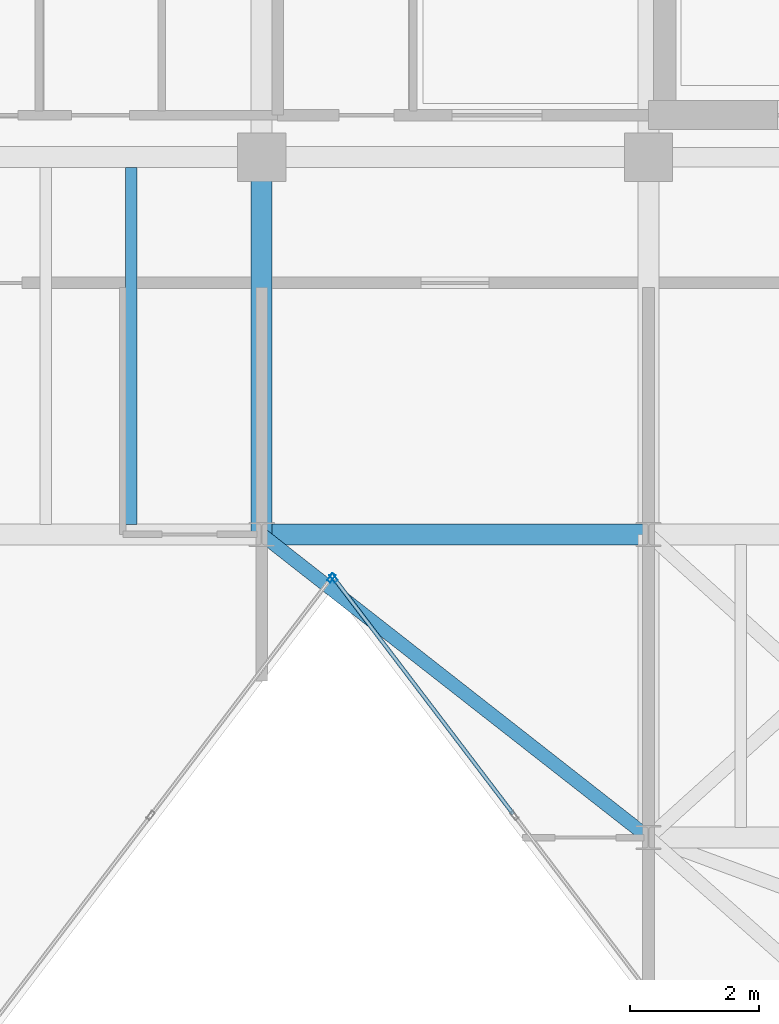
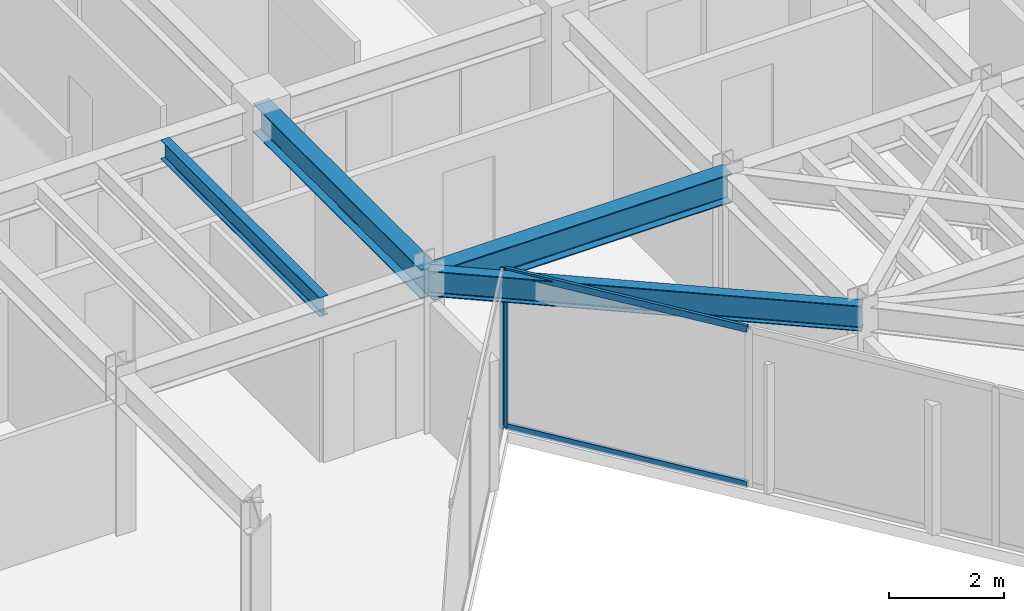
# One storey, part 6 of 16: 4 beams, 4 members, 2 elements without a shape of their own.
"""IFC4 building model written with IfcOpenShell, lengths in metres."""

from ifc_helpers import new_model, si_unit, direction, frame, origin, origin_2d, place, context, subcontext, project, spatial, hollow_rectangle, i_section, extrude, material, layer, layer_set, material_profile, profile_set, type_object, element, aggregate, save


model = new_model("IFC4")

# Units and contexts
model_context = context("Model", 3, precision=1e-05, world=origin(), true_north=direction((0.0, 1.0)))
body_context = subcontext(model_context, "Body", "Model", "MODEL_VIEW")
ifc_project = project(units=[si_unit("LENGTHUNIT", "METRE"), si_unit("AREAUNIT", "SQUARE_METRE"), si_unit("VOLUMEUNIT", "CUBIC_METRE"), si_unit("PLANEANGLEUNIT", "RADIAN"), si_unit("MASSUNIT", "GRAM", prefix="KILO")], contexts=[model_context])

# Site, building, storey
site_placement = place(None, origin())
site = spatial("IfcSite", under=ifc_project, at=site_placement, CompositionType="ELEMENT")
building_placement = place(site_placement, origin())
building = spatial("IfcBuilding", under=site, at=building_placement, Name="Kravanh Interchange Tower", CompositionType="ELEMENT")
storey_placement = place(building_placement, frame((0.0, 0.0, 303.89990234375)))
storey = spatial("IfcBuildingStorey", under=building, at=storey_placement, Name="L75", CompositionType="ELEMENT", Elevation=303.89990234375)

# Curtain wall, member
ifc_material_1 = material(Name="Anodised Bronze Aluminium", Category="aluminium")
ifc_layer = layer(ifc_material_1, 0.179931640625)
ifc_layer_set = layer_set([ifc_layer], Name="Unitised Curtain Wall System CW-HTL Luxury Hotel")
curtain_wall_type = type_object("IfcCurtainWallType", Name="Unitised Curtain Wall System CW-HTL Luxury Hotel", PredefinedType="NOTDEFINED", material=ifc_layer_set)
curtain_wall_1_placement = place(storey_placement, origin())
curtain_wall_1 = element("IfcCurtainWall", 1, at=curtain_wall_1_placement, inside=storey, type_object=curtain_wall_type, Name="L75 Unitised Curtain Wall CW-L75-04", PredefinedType="NOTDEFINED")
ifc_material_2 = material(Name="Anodised Bronze Aluminium", Category="aluminium")
ifc_material_profile_1 = material_profile(ifc_material_2, hollow_rectangle(XDim=0.06005859375, YDim=0.139892578125, WallThickness=0.00390625, at=origin_2d()), Name="ALU60X140X4")
ifc_profile_set_1 = profile_set([ifc_material_profile_1], Name="Anodised Bronze Aluminium")
member_type_1 = type_object("IfcMemberType", Name="Curtain Wall Mullion ALU60X140X4 Bronze", PredefinedType="MULLION", material=ifc_profile_set_1)
member_1_placement = place(storey_placement, frame((45.918212890625, 30.826904296875, 0.0), z_axis=(0.0, 0.0, 1.0), x_axis=(-0.796161642797, -0.605083992962, 0.0)))
member_1 = element("IfcMember", 2, at=member_1_placement, type_object=member_type_1, Name="CW-HTL mullion 4", PredefinedType="MULLION", context=body_context, shape_type="SweptSolid", body=[
    extrude(hollow_rectangle(XDim=0.06005859375, YDim=0.139892578125, WallThickness=0.00390625, at=origin_2d()), origin(), (0.0, 0.0, 1.0), 3.364990234375),
])

curtain_wall_2_placement = place(storey_placement, origin())
curtain_wall_2 = element("IfcCurtainWall", 3, at=curtain_wall_2_placement, inside=storey, type_object=curtain_wall_type, Name="L75 Unitised Curtain Wall CW-L75-05", PredefinedType="NOTDEFINED")
member_2_placement = place(storey_placement, frame((45.8818359375, 30.826904296875, 0.0), z_axis=(0.0, 0.0, 1.0), x_axis=(0.796161642797, -0.605083992962, 0.0)))
member_2 = element("IfcMember", 4, at=member_2_placement, type_object=member_type_1, Name="CW-HTL mullion 1", PredefinedType="MULLION", context=body_context, shape_type="SweptSolid", body=[
    extrude(hollow_rectangle(XDim=0.06005859375, YDim=0.139892578125, WallThickness=0.00390625, at=origin_2d()), origin(), (0.0, 0.0, 1.0), 3.364990234375),
])
aggregate(curtain_wall_2, [member_2])

# Member
ifc_material_3 = material(Name="Anodised Bronze Aluminium", Category="aluminium")
ifc_material_profile_2 = material_profile(ifc_material_3, hollow_rectangle(XDim=0.06005859375, YDim=0.139892578125, WallThickness=0.00390625, at=origin_2d()), Name="ALU60X140X4")
ifc_profile_set_2 = profile_set([ifc_material_profile_2], Name="Anodised Bronze Aluminium")
member_type_2 = type_object("IfcMemberType", Name="Curtain Wall Transom ALU60X140X4 Bronze", PredefinedType="USERDEFINED", material=ifc_profile_set_2)
member_3_placement = place(storey_placement, frame((48.70166015625, 27.16455078125, 0.030029296875), z_axis=(-0.605081913085, 0.796163223502, 0.0), x_axis=(-0.796163223502, -0.605081913085, 0.0)))
member_3 = element("IfcMember", 5, at=member_3_placement, type_object=member_type_2, Name="CW-HTL transom 3.1", ObjectType="TRANSOM", PredefinedType="USERDEFINED", context=body_context, shape_type="SweptSolid", body=[
    extrude(hollow_rectangle(XDim=0.06005859375, YDim=0.139892578125, WallThickness=0.00390625, at=origin_2d()), origin(), (0.0, 0.0, 1.0), 4.5703125),
])

member_4_placement = place(storey_placement, frame((48.70166015625, 27.16455078125, 3.335205078125), z_axis=(-0.605081913085, 0.796163223502, 0.0), x_axis=(-0.796163223502, -0.605081913085, 0.0)))
member_4 = element("IfcMember", 6, at=member_4_placement, type_object=member_type_2, Name="CW-HTL transom 3.2", ObjectType="TRANSOM", PredefinedType="USERDEFINED", context=body_context, shape_type="SweptSolid", body=[
    extrude(hollow_rectangle(XDim=0.06005859375, YDim=0.139892578125, WallThickness=0.00390625, at=origin_2d()), origin(), (0.0, 0.0, 1.0), 4.5703125),
])

aggregate(curtain_wall_1, [member_1, member_3, member_4])

# Beams
ifc_material_4 = material(Name="Structural Steel S355", Category="steel")
ifc_material_profile_3 = material_profile(ifc_material_4, i_section(OverallWidth=0.323974609375, OverallDepth=0.611083984375, WebThickness=0.0126953125, FlangeThickness=0.01904296875, FilletRadius=0.02197265625, at=origin_2d()), Name="W24X104")
ifc_profile_set_3 = profile_set([ifc_material_profile_3], Name="Structural Steel S355")
beam_type_1 = type_object("IfcBeamType", Name="Floor Beam W24X104 Structural Steel S355", PredefinedType="BEAM", material=ifc_profile_set_3)
beam_1_placement = place(storey_placement, frame((44.800048828125, 31.5, 3.0595703125), z_axis=(0.0, 1.0, 0.0), x_axis=(-1.0, 0.0, 0.0)))
element("IfcBeam", 7, at=beam_1_placement, inside=storey, type_object=beam_type_1, Name="L75 Primary Floor Girder 1", PredefinedType="BEAM", context=body_context, shape_type="SweptSolid", body=[
    extrude(i_section(OverallWidth=0.323974609375, OverallDepth=0.611083984375, WebThickness=0.0126953125, FlangeThickness=0.01904296875, FilletRadius=0.02197265625, at=origin_2d()), origin(), (0.0, 0.0, 1.0), 5.85009765625),
])
beam_2_placement = place(storey_placement, frame((44.800048828125, 31.5, 3.0595703125), z_axis=(1.0, 0.0, 0.0), x_axis=(0.0, 1.0, 0.0)))
element("IfcBeam", 8, at=beam_2_placement, inside=storey, type_object=beam_type_1, Name="L75 Primary Floor Girder 2", PredefinedType="BEAM", context=body_context, shape_type="SweptSolid", body=[
    extrude(i_section(OverallWidth=0.323974609375, OverallDepth=0.611083984375, WebThickness=0.0126953125, FlangeThickness=0.01904296875, FilletRadius=0.02197265625, at=origin_2d()), origin(), (0.0, 0.0, 1.0), 6.0),
])
ifc_material_5 = material(Name="Structural Steel S355", Category="steel")
ifc_material_profile_4 = material_profile(ifc_material_5, i_section(OverallWidth=0.177978515625, OverallDepth=0.406005859375, WebThickness=0.0078125, FlangeThickness=0.0126953125, FilletRadius=0.01611328125, at=origin_2d()), Name="W16X40")
ifc_profile_set_4 = profile_set([ifc_material_profile_4], Name="Structural Steel S355")
beam_type_2 = type_object("IfcBeamType", Name="Floor Joist W16X40 Structural Steel S355", PredefinedType="JOIST", material=ifc_profile_set_4)
beam_3_placement = place(storey_placement, frame((42.778076171875, 31.656982421875, 3.162109375), z_axis=(0.0, 1.0, 0.0), x_axis=(-1.0, 0.0, 0.0)))
element("IfcBeam", 9, at=beam_3_placement, inside=storey, type_object=beam_type_2, Name="L75 Secondary Floor Joist 12", PredefinedType="JOIST", context=body_context, shape_type="SweptSolid", body=[
    extrude(i_section(OverallWidth=0.177978515625, OverallDepth=0.406005859375, WebThickness=0.0078125, FlangeThickness=0.0126953125, FilletRadius=0.01611328125, at=origin_2d()), origin(), (0.0, 0.0, 1.0), 5.5361328125),
])
ifc_material_6 = material(Name="Structural Steel S355", Category="steel")
ifc_material_profile_5 = material_profile(ifc_material_6, i_section(OverallWidth=0.2099609375, OverallDepth=0.537109375, WebThickness=0.010986328125, FlangeThickness=0.017333984375, FilletRadius=0.02001953125, at=origin_2d()), Name="W21X68")
ifc_profile_set_5 = profile_set([ifc_material_profile_5], Name="Structural Steel S355")
beam_type_3 = type_object("IfcBeamType", Name="Floor Spandrel W21X68 Structural Steel S355", PredefinedType="SPANDREL", material=ifc_profile_set_5)
beam_4_placement = place(storey_placement, frame((44.800048828125, 31.5, 3.0966796875), z_axis=(0.787231163579, -0.616658004967, 0.0), x_axis=(0.616658004967, 0.787231163579, 0.0)))
element("IfcBeam", 10, at=beam_4_placement, inside=storey, type_object=beam_type_3, Name="L75 Perimeter Spandrel 4", PredefinedType="SPANDREL", context=body_context, shape_type="SweptSolid", body=[
    extrude(i_section(OverallWidth=0.2099609375, OverallDepth=0.537109375, WebThickness=0.010986328125, FlangeThickness=0.017333984375, FilletRadius=0.02001953125, at=origin_2d()), origin(), (0.0, 0.0, 1.0), 7.62158203125),
])

save(model, "model.ifc")
